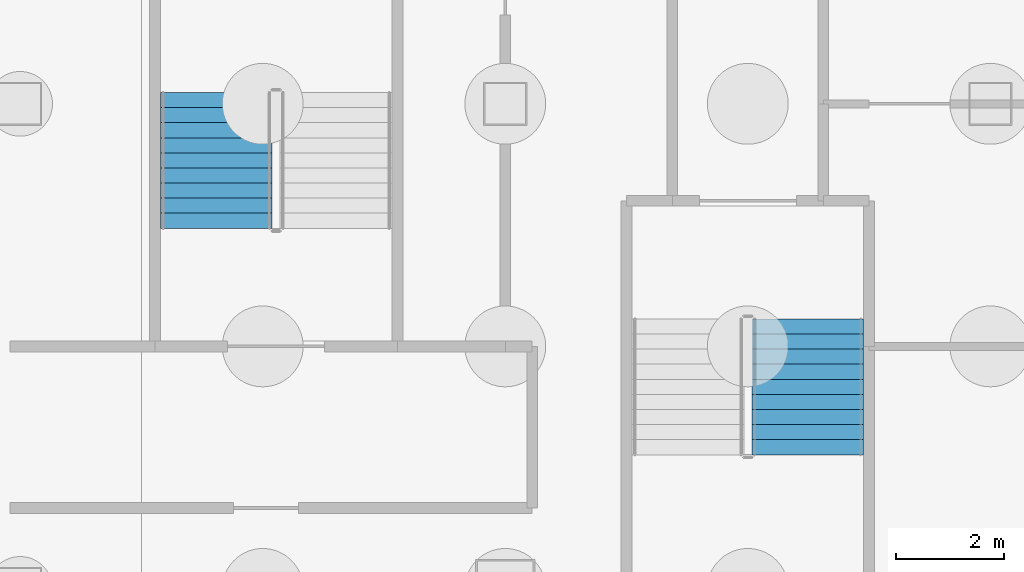
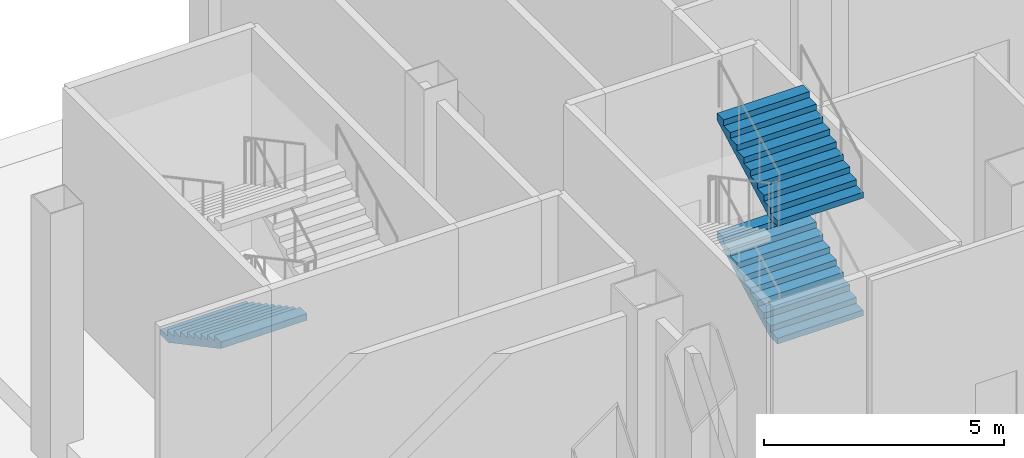
# One storey, part 14 of 25: 3 stair flights, 2 elements without a shape of their own.
"""IFC4 building model written with IfcOpenShell, lengths in metres."""

from ifc_helpers import new_model, si_unit, direction, frame, origin, place, context, subcontext, project, spatial, polygons, material, type_object, element, aggregate, save


model = new_model("IFC4")

# Units and contexts
model_context = context("Model", 3, precision=1e-05, world=origin(), true_north=direction((0.0, 1.0)))
body_context = subcontext(model_context, "Body", "Model", "MODEL_VIEW")
ifc_project = project(units=[si_unit("LENGTHUNIT", "METRE"), si_unit("AREAUNIT", "SQUARE_METRE"), si_unit("VOLUMEUNIT", "CUBIC_METRE"), si_unit("PLANEANGLEUNIT", "RADIAN"), si_unit("MASSUNIT", "GRAM", prefix="KILO")], contexts=[model_context])

# Site, building, storey
site_placement = place(None, origin())
site = spatial("IfcSite", under=ifc_project, at=site_placement, CompositionType="ELEMENT")
building_placement = place(site_placement, origin())
building = spatial("IfcBuilding", under=site, at=building_placement, Name="Caravel Reach Hotel and Residences", CompositionType="ELEMENT")
storey_placement = place(building_placement, frame((0.0, 0.0, -6.0)))
storey = spatial("IfcBuildingStorey", under=building, at=storey_placement, Name="B1", CompositionType="ELEMENT", Elevation=-6.0)

# Stair, stair flights
ifc_material_1 = material(Name="Concrete C40", Category="concrete")
stair_type = type_object("IfcStairType", Name="Core stair", PredefinedType="HALF_TURN_STAIR", material=ifc_material_1)
stair_1_placement = place(storey_placement, origin())
stair_1 = element("IfcStair", 1, at=stair_1_placement, inside=storey, type_object=stair_type, Name="B1 Exit stair P1", PredefinedType="HALF_TURN_STAIR")
ifc_material_2 = material(Name="Concrete C40", Category="concrete")
stair_flight_type = type_object("IfcStairFlightType", Name="Core stair flight", PredefinedType="STRAIGHT", material=ifc_material_2)
stair_flight_1_placement = place(storey_placement, frame((10.110107421875, 38.489990234375, 1.5), z_axis=(0.0, 0.0, 1.0), x_axis=(0.0, 1.0, 0.0)))
stair_flight_1 = element("IfcStairFlight", 2, at=stair_flight_1_placement, type_object=stair_flight_type, Name="ST-P1 flight 2", NumberOfRisers=10, NumberOfTreads=9, PredefinedType="STRAIGHT", RiserHeight=0.15, TreadLength=0.28, context=body_context, shape_type="Tessellation", body=[
    polygons([(0.3174408016601862, 1.0350341796875, 0.0), (0.3174408016601862, 0.6900227864583333, 0.0), (0.3174408016601862, 0.34501139322916663, 0.0), (0.3174408016601862, 0.0, 0.0), (0.3174408016601862, -0.34501139322916674, 0.0), (0.3174408016601862, -0.6900227864583333, 0.0), (0.3174408016601862, -1.0350341796875, 0.0), (2.5210000000000004, 1.0350341796875, 1.1799424276820432), (2.5210000000000004, 0.6900227864583333, 1.1799424276820432), (2.5210000000000004, 0.34501139322916663, 1.1799424276820432), (2.5210000000000004, 0.0, 1.1799424276820432), (2.5210000000000004, -0.34501139322916674, 1.1799424276820432), (2.5210000000000004, -0.6900227864583333, 1.1799424276820432), (2.5210000000000004, -1.0350341796875, 1.1799424276820432), (2.5210000000000004, 1.0350341796875, 1.3499999999999999), (2.5210000000000004, 0.6900227864583333, 1.3499999999999999), (2.5210000000000004, 0.34501139322916663, 1.3499999999999999), (2.5210000000000004, 0.0, 1.3499999999999999), (2.5210000000000004, -0.34501139322916674, 1.3499999999999999), (2.5210000000000004, -0.6900227864583333, 1.3499999999999999), (2.5210000000000004, -1.0350341796875, 1.3499999999999999), (2.24, 1.0350341796875, 1.3499999999999999), (2.24, 0.6900227864583333, 1.3499999999999999), (2.24, 0.34501139322916663, 1.3499999999999999), (2.24, 0.0, 1.3499999999999999), (2.24, -0.34501139322916674, 1.3499999999999999), (2.24, -0.6900227864583333, 1.3499999999999999), (2.24, -1.0350341796875, 1.3499999999999999), (2.24, 1.0350341796875, 1.2), (2.24, 0.6900227864583333, 1.2), (2.24, 0.34501139322916663, 1.2), (2.24, 0.0, 1.2), (2.24, -0.34501139322916674, 1.2), (2.24, -0.6900227864583333, 1.2), (2.24, -1.0350341796875, 1.2), (1.9600000000000002, 1.0350341796875, 1.2), (1.9600000000000002, 0.6900227864583333, 1.2), (1.9600000000000002, 0.34501139322916663, 1.2), (1.9600000000000002, 0.0, 1.2), (1.9600000000000002, -0.34501139322916674, 1.2), (1.9600000000000002, -0.6900227864583333, 1.2), (1.9600000000000002, -1.0350341796875, 1.2), (1.9600000000000002, 1.0350341796875, 1.05), (1.9600000000000002, 0.6900227864583333, 1.05), (1.9600000000000002, 0.34501139322916663, 1.05), (1.9600000000000002, 0.0, 1.05), (1.9600000000000002, -0.34501139322916674, 1.05), (1.9600000000000002, -0.6900227864583333, 1.05), (1.9600000000000002, -1.0350341796875, 1.05), (1.6800000000000002, 1.0350341796875, 1.05), (1.6800000000000002, 0.6900227864583333, 1.05), (1.6800000000000002, 0.34501139322916663, 1.05), (1.6800000000000002, 0.0, 1.05), (1.6800000000000002, -0.34501139322916674, 1.05), (1.6800000000000002, -0.6900227864583333, 1.05), (1.6800000000000002, -1.0350341796875, 1.05), (1.6800000000000002, 1.0350341796875, 0.8999999999999999), (1.6800000000000002, 0.6900227864583333, 0.8999999999999999), (1.6800000000000002, 0.34501139322916663, 0.8999999999999999), (1.6800000000000002, 0.0, 0.8999999999999999), (1.6800000000000002, -0.34501139322916674, 0.8999999999999999), (1.6800000000000002, -0.6900227864583333, 0.8999999999999999), (1.6800000000000002, -1.0350341796875, 0.8999999999999999), (1.4000000000000001, 1.0350341796875, 0.8999999999999999), (1.4000000000000001, 0.6900227864583333, 0.8999999999999999), (1.4000000000000001, 0.34501139322916663, 0.8999999999999999), (1.4000000000000001, 0.0, 0.8999999999999999), (1.4000000000000001, -0.34501139322916674, 0.8999999999999999), (1.4000000000000001, -0.6900227864583333, 0.8999999999999999), (1.4000000000000001, -1.0350341796875, 0.8999999999999999), (1.4000000000000001, 1.0350341796875, 0.75), (1.4000000000000001, 0.6900227864583333, 0.75), (1.4000000000000001, 0.34501139322916663, 0.75), (1.4000000000000001, 0.0, 0.75), (1.4000000000000001, -0.34501139322916674, 0.75), (1.4000000000000001, -0.6900227864583333, 0.75), (1.4000000000000001, -1.0350341796875, 0.75), (1.12, 1.0350341796875, 0.75), (1.12, 0.6900227864583333, 0.75), (1.12, 0.34501139322916663, 0.75), (1.12, 0.0, 0.75), (1.12, -0.34501139322916674, 0.75), (1.12, -0.6900227864583333, 0.75), (1.12, -1.0350341796875, 0.75), (1.12, 1.0350341796875, 0.6), (1.12, 0.6900227864583333, 0.6), (1.12, 0.34501139322916663, 0.6), (1.12, 0.0, 0.6), (1.12, -0.34501139322916674, 0.6), (1.12, -0.6900227864583333, 0.6), (1.12, -1.0350341796875, 0.6), (0.8400000000000001, 1.0350341796875, 0.6), (0.8400000000000001, 0.6900227864583333, 0.6), (0.8400000000000001, 0.34501139322916663, 0.6), (0.8400000000000001, 0.0, 0.6), (0.8400000000000001, -0.34501139322916674, 0.6), (0.8400000000000001, -0.6900227864583333, 0.6), (0.8400000000000001, -1.0350341796875, 0.6), (0.8400000000000001, 1.0350341796875, 0.44999999999999996), (0.8400000000000001, 0.6900227864583333, 0.44999999999999996), (0.8400000000000001, 0.34501139322916663, 0.44999999999999996), (0.8400000000000001, 0.0, 0.44999999999999996), (0.8400000000000001, -0.34501139322916674, 0.44999999999999996), (0.8400000000000001, -0.6900227864583333, 0.44999999999999996), (0.8400000000000001, -1.0350341796875, 0.44999999999999996), (0.56, 1.0350341796875, 0.44999999999999996), (0.56, 0.6900227864583333, 0.44999999999999996), (0.56, 0.34501139322916663, 0.44999999999999996), (0.56, 0.0, 0.44999999999999996), (0.56, -0.34501139322916674, 0.44999999999999996), (0.56, -0.6900227864583333, 0.44999999999999996), (0.56, -1.0350341796875, 0.44999999999999996), (0.56, 1.0350341796875, 0.3), (0.56, 0.6900227864583333, 0.3), (0.56, 0.34501139322916663, 0.3), (0.56, 0.0, 0.3), (0.56, -0.34501139322916674, 0.3), (0.56, -0.6900227864583333, 0.3), (0.56, -1.0350341796875, 0.3), (0.28, 1.0350341796875, 0.3), (0.28, 0.6900227864583333, 0.3), (0.28, 0.34501139322916663, 0.3), (0.28, 0.0, 0.3), (0.28, -0.34501139322916674, 0.3), (0.28, -0.6900227864583333, 0.3), (0.28, -1.0350341796875, 0.3), (0.28, 1.0350341796875, 0.15), (0.28, 0.6900227864583333, 0.15), (0.28, 0.34501139322916663, 0.15), (0.28, 0.0, 0.15), (0.28, -0.34501139322916674, 0.15), (0.28, -0.6900227864583333, 0.15), (0.28, -1.0350341796875, 0.15), (-0.001, 1.0350341796875, 0.15), (-0.001, 0.6900227864583333, 0.15), (-0.001, 0.34501139322916663, 0.15), (-0.001, 0.0, 0.15), (-0.001, -0.34501139322916674, 0.15), (-0.001, -0.6900227864583333, 0.15), (-0.001, -1.0350341796875, 0.15), (-0.001, 1.0350341796875, 0.0), (-0.001, 0.6900227864583333, 0.0), (-0.001, 0.34501139322916663, 0.0), (-0.001, 0.0, 0.0), (-0.001, -0.34501139322916674, 0.0), (-0.001, -0.6900227864583333, 0.0), (-0.001, -1.0350341796875, 0.0)], [[[141, 134, 127, 120, 113, 106, 99, 92, 85, 78, 71, 64, 57, 50, 43, 36, 29, 22, 15, 8, 1]], [[7, 14, 21, 28, 35, 42, 49, 56, 63, 70, 77, 84, 91, 98, 105, 112, 119, 126, 133, 140, 147]], [[1, 8, 9, 2]], [[2, 9, 10, 3]], [[3, 10, 11, 4]], [[4, 11, 12, 5]], [[5, 12, 13, 6]], [[6, 13, 14, 7]], [[8, 15, 16, 9]], [[9, 16, 17, 10]], [[10, 17, 18, 11]], [[11, 18, 19, 12]], [[12, 19, 20, 13]], [[13, 20, 21, 14]], [[15, 22, 23, 16]], [[16, 23, 24, 17]], [[17, 24, 25, 18]], [[18, 25, 26, 19]], [[19, 26, 27, 20]], [[20, 27, 28, 21]], [[22, 29, 30, 23]], [[23, 30, 31, 24]], [[24, 31, 32, 25]], [[25, 32, 33, 26]], [[26, 33, 34, 27]], [[27, 34, 35, 28]], [[29, 36, 37, 30]], [[30, 37, 38, 31]], [[31, 38, 39, 32]], [[32, 39, 40, 33]], [[33, 40, 41, 34]], [[34, 41, 42, 35]], [[36, 43, 44, 37]], [[37, 44, 45, 38]], [[38, 45, 46, 39]], [[39, 46, 47, 40]], [[40, 47, 48, 41]], [[41, 48, 49, 42]], [[43, 50, 51, 44]], [[44, 51, 52, 45]], [[45, 52, 53, 46]], [[46, 53, 54, 47]], [[47, 54, 55, 48]], [[48, 55, 56, 49]], [[50, 57, 58, 51]], [[51, 58, 59, 52]], [[52, 59, 60, 53]], [[53, 60, 61, 54]], [[54, 61, 62, 55]], [[55, 62, 63, 56]], [[57, 64, 65, 58]], [[58, 65, 66, 59]], [[59, 66, 67, 60]], [[60, 67, 68, 61]], [[61, 68, 69, 62]], [[62, 69, 70, 63]], [[64, 71, 72, 65]], [[65, 72, 73, 66]], [[66, 73, 74, 67]], [[67, 74, 75, 68]], [[68, 75, 76, 69]], [[69, 76, 77, 70]], [[71, 78, 79, 72]], [[72, 79, 80, 73]], [[73, 80, 81, 74]], [[74, 81, 82, 75]], [[75, 82, 83, 76]], [[76, 83, 84, 77]], [[78, 85, 86, 79]], [[79, 86, 87, 80]], [[80, 87, 88, 81]], [[81, 88, 89, 82]], [[82, 89, 90, 83]], [[83, 90, 91, 84]], [[85, 92, 93, 86]], [[86, 93, 94, 87]], [[87, 94, 95, 88]], [[88, 95, 96, 89]], [[89, 96, 97, 90]], [[90, 97, 98, 91]], [[92, 99, 100, 93]], [[93, 100, 101, 94]], [[94, 101, 102, 95]], [[95, 102, 103, 96]], [[96, 103, 104, 97]], [[97, 104, 105, 98]], [[99, 106, 107, 100]], [[100, 107, 108, 101]], [[101, 108, 109, 102]], [[102, 109, 110, 103]], [[103, 110, 111, 104]], [[104, 111, 112, 105]], [[106, 113, 114, 107]], [[107, 114, 115, 108]], [[108, 115, 116, 109]], [[109, 116, 117, 110]], [[110, 117, 118, 111]], [[111, 118, 119, 112]], [[113, 120, 121, 114]], [[114, 121, 122, 115]], [[115, 122, 123, 116]], [[116, 123, 124, 117]], [[117, 124, 125, 118]], [[118, 125, 126, 119]], [[120, 127, 128, 121]], [[121, 128, 129, 122]], [[122, 129, 130, 123]], [[123, 130, 131, 124]], [[124, 131, 132, 125]], [[125, 132, 133, 126]], [[127, 134, 135, 128]], [[128, 135, 136, 129]], [[129, 136, 137, 130]], [[130, 137, 138, 131]], [[131, 138, 139, 132]], [[132, 139, 140, 133]], [[134, 141, 142, 135]], [[135, 142, 143, 136]], [[136, 143, 144, 137]], [[137, 144, 145, 138]], [[138, 145, 146, 139]], [[139, 146, 147, 140]], [[141, 1, 2, 142]], [[142, 2, 3, 143]], [[143, 3, 4, 144]], [[144, 4, 5, 145]], [[145, 5, 6, 146]], [[146, 6, 7, 147]]], closed=True),
])
stair_flight_2_placement = place(storey_placement, frame((10.110107421875, 38.489990234375, 4.5), z_axis=(0.0, 0.0, 1.0), x_axis=(0.0, 1.0, 0.0)))
stair_flight_2 = element("IfcStairFlight", 3, at=stair_flight_2_placement, type_object=stair_flight_type, Name="ST-P1 flight 4", NumberOfRisers=10, NumberOfTreads=9, PredefinedType="STRAIGHT", RiserHeight=0.15, TreadLength=0.28, context=body_context, shape_type="Tessellation", body=[
    polygons([(0.3174408016601862, 1.0350341796875, 0.0), (0.3174408016601862, 0.6900227864583333, 0.0), (0.3174408016601862, 0.34501139322916663, 0.0), (0.3174408016601862, 0.0, 0.0), (0.3174408016601862, -0.34501139322916674, 0.0), (0.3174408016601862, -0.6900227864583333, 0.0), (0.3174408016601862, -1.0350341796875, 0.0), (2.5210000000000004, 1.0350341796875, 1.1799424276820432), (2.5210000000000004, 0.6900227864583333, 1.1799424276820432), (2.5210000000000004, 0.34501139322916663, 1.1799424276820432), (2.5210000000000004, 0.0, 1.1799424276820432), (2.5210000000000004, -0.34501139322916674, 1.1799424276820432), (2.5210000000000004, -0.6900227864583333, 1.1799424276820432), (2.5210000000000004, -1.0350341796875, 1.1799424276820432), (2.5210000000000004, 1.0350341796875, 1.3499999999999999), (2.5210000000000004, 0.6900227864583333, 1.3499999999999999), (2.5210000000000004, 0.34501139322916663, 1.3499999999999999), (2.5210000000000004, 0.0, 1.3499999999999999), (2.5210000000000004, -0.34501139322916674, 1.3499999999999999), (2.5210000000000004, -0.6900227864583333, 1.3499999999999999), (2.5210000000000004, -1.0350341796875, 1.3499999999999999), (2.24, 1.0350341796875, 1.3499999999999999), (2.24, 0.6900227864583333, 1.3499999999999999), (2.24, 0.34501139322916663, 1.3499999999999999), (2.24, 0.0, 1.3499999999999999), (2.24, -0.34501139322916674, 1.3499999999999999), (2.24, -0.6900227864583333, 1.3499999999999999), (2.24, -1.0350341796875, 1.3499999999999999), (2.24, 1.0350341796875, 1.2), (2.24, 0.6900227864583333, 1.2), (2.24, 0.34501139322916663, 1.2), (2.24, 0.0, 1.2), (2.24, -0.34501139322916674, 1.2), (2.24, -0.6900227864583333, 1.2), (2.24, -1.0350341796875, 1.2), (1.9600000000000002, 1.0350341796875, 1.2), (1.9600000000000002, 0.6900227864583333, 1.2), (1.9600000000000002, 0.34501139322916663, 1.2), (1.9600000000000002, 0.0, 1.2), (1.9600000000000002, -0.34501139322916674, 1.2), (1.9600000000000002, -0.6900227864583333, 1.2), (1.9600000000000002, -1.0350341796875, 1.2), (1.9600000000000002, 1.0350341796875, 1.05), (1.9600000000000002, 0.6900227864583333, 1.05), (1.9600000000000002, 0.34501139322916663, 1.05), (1.9600000000000002, 0.0, 1.05), (1.9600000000000002, -0.34501139322916674, 1.05), (1.9600000000000002, -0.6900227864583333, 1.05), (1.9600000000000002, -1.0350341796875, 1.05), (1.6800000000000002, 1.0350341796875, 1.05), (1.6800000000000002, 0.6900227864583333, 1.05), (1.6800000000000002, 0.34501139322916663, 1.05), (1.6800000000000002, 0.0, 1.05), (1.6800000000000002, -0.34501139322916674, 1.05), (1.6800000000000002, -0.6900227864583333, 1.05), (1.6800000000000002, -1.0350341796875, 1.05), (1.6800000000000002, 1.0350341796875, 0.8999999999999999), (1.6800000000000002, 0.6900227864583333, 0.8999999999999999), (1.6800000000000002, 0.34501139322916663, 0.8999999999999999), (1.6800000000000002, 0.0, 0.8999999999999999), (1.6800000000000002, -0.34501139322916674, 0.8999999999999999), (1.6800000000000002, -0.6900227864583333, 0.8999999999999999), (1.6800000000000002, -1.0350341796875, 0.8999999999999999), (1.4000000000000001, 1.0350341796875, 0.8999999999999999), (1.4000000000000001, 0.6900227864583333, 0.8999999999999999), (1.4000000000000001, 0.34501139322916663, 0.8999999999999999), (1.4000000000000001, 0.0, 0.8999999999999999), (1.4000000000000001, -0.34501139322916674, 0.8999999999999999), (1.4000000000000001, -0.6900227864583333, 0.8999999999999999), (1.4000000000000001, -1.0350341796875, 0.8999999999999999), (1.4000000000000001, 1.0350341796875, 0.75), (1.4000000000000001, 0.6900227864583333, 0.75), (1.4000000000000001, 0.34501139322916663, 0.75), (1.4000000000000001, 0.0, 0.75), (1.4000000000000001, -0.34501139322916674, 0.75), (1.4000000000000001, -0.6900227864583333, 0.75), (1.4000000000000001, -1.0350341796875, 0.75), (1.12, 1.0350341796875, 0.75), (1.12, 0.6900227864583333, 0.75), (1.12, 0.34501139322916663, 0.75), (1.12, 0.0, 0.75), (1.12, -0.34501139322916674, 0.75), (1.12, -0.6900227864583333, 0.75), (1.12, -1.0350341796875, 0.75), (1.12, 1.0350341796875, 0.6), (1.12, 0.6900227864583333, 0.6), (1.12, 0.34501139322916663, 0.6), (1.12, 0.0, 0.6), (1.12, -0.34501139322916674, 0.6), (1.12, -0.6900227864583333, 0.6), (1.12, -1.0350341796875, 0.6), (0.8400000000000001, 1.0350341796875, 0.6), (0.8400000000000001, 0.6900227864583333, 0.6), (0.8400000000000001, 0.34501139322916663, 0.6), (0.8400000000000001, 0.0, 0.6), (0.8400000000000001, -0.34501139322916674, 0.6), (0.8400000000000001, -0.6900227864583333, 0.6), (0.8400000000000001, -1.0350341796875, 0.6), (0.8400000000000001, 1.0350341796875, 0.44999999999999996), (0.8400000000000001, 0.6900227864583333, 0.44999999999999996), (0.8400000000000001, 0.34501139322916663, 0.44999999999999996), (0.8400000000000001, 0.0, 0.44999999999999996), (0.8400000000000001, -0.34501139322916674, 0.44999999999999996), (0.8400000000000001, -0.6900227864583333, 0.44999999999999996), (0.8400000000000001, -1.0350341796875, 0.44999999999999996), (0.56, 1.0350341796875, 0.44999999999999996), (0.56, 0.6900227864583333, 0.44999999999999996), (0.56, 0.34501139322916663, 0.44999999999999996), (0.56, 0.0, 0.44999999999999996), (0.56, -0.34501139322916674, 0.44999999999999996), (0.56, -0.6900227864583333, 0.44999999999999996), (0.56, -1.0350341796875, 0.44999999999999996), (0.56, 1.0350341796875, 0.3), (0.56, 0.6900227864583333, 0.3), (0.56, 0.34501139322916663, 0.3), (0.56, 0.0, 0.3), (0.56, -0.34501139322916674, 0.3), (0.56, -0.6900227864583333, 0.3), (0.56, -1.0350341796875, 0.3), (0.28, 1.0350341796875, 0.3), (0.28, 0.6900227864583333, 0.3), (0.28, 0.34501139322916663, 0.3), (0.28, 0.0, 0.3), (0.28, -0.34501139322916674, 0.3), (0.28, -0.6900227864583333, 0.3), (0.28, -1.0350341796875, 0.3), (0.28, 1.0350341796875, 0.15), (0.28, 0.6900227864583333, 0.15), (0.28, 0.34501139322916663, 0.15), (0.28, 0.0, 0.15), (0.28, -0.34501139322916674, 0.15), (0.28, -0.6900227864583333, 0.15), (0.28, -1.0350341796875, 0.15), (-0.001, 1.0350341796875, 0.15), (-0.001, 0.6900227864583333, 0.15), (-0.001, 0.34501139322916663, 0.15), (-0.001, 0.0, 0.15), (-0.001, -0.34501139322916674, 0.15), (-0.001, -0.6900227864583333, 0.15), (-0.001, -1.0350341796875, 0.15), (-0.001, 1.0350341796875, 0.0), (-0.001, 0.6900227864583333, 0.0), (-0.001, 0.34501139322916663, 0.0), (-0.001, 0.0, 0.0), (-0.001, -0.34501139322916674, 0.0), (-0.001, -0.6900227864583333, 0.0), (-0.001, -1.0350341796875, 0.0)], [[[141, 134, 127, 120, 113, 106, 99, 92, 85, 78, 71, 64, 57, 50, 43, 36, 29, 22, 15, 8, 1]], [[7, 14, 21, 28, 35, 42, 49, 56, 63, 70, 77, 84, 91, 98, 105, 112, 119, 126, 133, 140, 147]], [[1, 8, 9, 2]], [[2, 9, 10, 3]], [[3, 10, 11, 4]], [[4, 11, 12, 5]], [[5, 12, 13, 6]], [[6, 13, 14, 7]], [[8, 15, 16, 9]], [[9, 16, 17, 10]], [[10, 17, 18, 11]], [[11, 18, 19, 12]], [[12, 19, 20, 13]], [[13, 20, 21, 14]], [[15, 22, 23, 16]], [[16, 23, 24, 17]], [[17, 24, 25, 18]], [[18, 25, 26, 19]], [[19, 26, 27, 20]], [[20, 27, 28, 21]], [[22, 29, 30, 23]], [[23, 30, 31, 24]], [[24, 31, 32, 25]], [[25, 32, 33, 26]], [[26, 33, 34, 27]], [[27, 34, 35, 28]], [[29, 36, 37, 30]], [[30, 37, 38, 31]], [[31, 38, 39, 32]], [[32, 39, 40, 33]], [[33, 40, 41, 34]], [[34, 41, 42, 35]], [[36, 43, 44, 37]], [[37, 44, 45, 38]], [[38, 45, 46, 39]], [[39, 46, 47, 40]], [[40, 47, 48, 41]], [[41, 48, 49, 42]], [[43, 50, 51, 44]], [[44, 51, 52, 45]], [[45, 52, 53, 46]], [[46, 53, 54, 47]], [[47, 54, 55, 48]], [[48, 55, 56, 49]], [[50, 57, 58, 51]], [[51, 58, 59, 52]], [[52, 59, 60, 53]], [[53, 60, 61, 54]], [[54, 61, 62, 55]], [[55, 62, 63, 56]], [[57, 64, 65, 58]], [[58, 65, 66, 59]], [[59, 66, 67, 60]], [[60, 67, 68, 61]], [[61, 68, 69, 62]], [[62, 69, 70, 63]], [[64, 71, 72, 65]], [[65, 72, 73, 66]], [[66, 73, 74, 67]], [[67, 74, 75, 68]], [[68, 75, 76, 69]], [[69, 76, 77, 70]], [[71, 78, 79, 72]], [[72, 79, 80, 73]], [[73, 80, 81, 74]], [[74, 81, 82, 75]], [[75, 82, 83, 76]], [[76, 83, 84, 77]], [[78, 85, 86, 79]], [[79, 86, 87, 80]], [[80, 87, 88, 81]], [[81, 88, 89, 82]], [[82, 89, 90, 83]], [[83, 90, 91, 84]], [[85, 92, 93, 86]], [[86, 93, 94, 87]], [[87, 94, 95, 88]], [[88, 95, 96, 89]], [[89, 96, 97, 90]], [[90, 97, 98, 91]], [[92, 99, 100, 93]], [[93, 100, 101, 94]], [[94, 101, 102, 95]], [[95, 102, 103, 96]], [[96, 103, 104, 97]], [[97, 104, 105, 98]], [[99, 106, 107, 100]], [[100, 107, 108, 101]], [[101, 108, 109, 102]], [[102, 109, 110, 103]], [[103, 110, 111, 104]], [[104, 111, 112, 105]], [[106, 113, 114, 107]], [[107, 114, 115, 108]], [[108, 115, 116, 109]], [[109, 116, 117, 110]], [[110, 117, 118, 111]], [[111, 118, 119, 112]], [[113, 120, 121, 114]], [[114, 121, 122, 115]], [[115, 122, 123, 116]], [[116, 123, 124, 117]], [[117, 124, 125, 118]], [[118, 125, 126, 119]], [[120, 127, 128, 121]], [[121, 128, 129, 122]], [[122, 129, 130, 123]], [[123, 130, 131, 124]], [[124, 131, 132, 125]], [[125, 132, 133, 126]], [[127, 134, 135, 128]], [[128, 135, 136, 129]], [[129, 136, 137, 130]], [[130, 137, 138, 131]], [[131, 138, 139, 132]], [[132, 139, 140, 133]], [[134, 141, 142, 135]], [[135, 142, 143, 136]], [[136, 143, 144, 137]], [[137, 144, 145, 138]], [[138, 145, 146, 139]], [[139, 146, 147, 140]], [[141, 1, 2, 142]], [[142, 2, 3, 143]], [[143, 3, 4, 144]], [[144, 4, 5, 145]], [[145, 5, 6, 146]], [[146, 6, 7, 147]]], closed=True),
])
aggregate(stair_1, [stair_flight_1, stair_flight_2])

# Stair, stair flight
stair_2_placement = place(storey_placement, origin())
stair_2 = element("IfcStair", 4, at=stair_2_placement, inside=storey, type_object=stair_type, Name="B1 Exit stair P5", PredefinedType="HALF_TURN_STAIR")
stair_flight_3_placement = place(storey_placement, frame((-0.860107421875, 45.2099609375, 1.5), z_axis=(0.0, 0.0, 1.0), x_axis=(0.0, -1.0, 0.0)))
stair_flight_3 = element("IfcStairFlight", 5, at=stair_flight_3_placement, type_object=stair_flight_type, Name="ST-P5 flight 2", NumberOfRisers=10, NumberOfTreads=9, PredefinedType="STRAIGHT", RiserHeight=0.15, TreadLength=0.28, context=body_context, shape_type="Tessellation", body=[
    polygons([(0.3174408016601862, 1.0350341796875, 0.0), (0.3174408016601862, 0.6900227864583333, 0.0), (0.3174408016601862, 0.34501139322916663, 0.0), (0.3174408016601862, 0.0, 0.0), (0.3174408016601862, -0.34501139322916674, 0.0), (0.3174408016601862, -0.6900227864583333, 0.0), (0.3174408016601862, -1.0350341796875, 0.0), (2.5210000000000004, 1.0350341796875, 1.1799424276820432), (2.5210000000000004, 0.6900227864583333, 1.1799424276820432), (2.5210000000000004, 0.34501139322916663, 1.1799424276820432), (2.5210000000000004, 0.0, 1.1799424276820432), (2.5210000000000004, -0.34501139322916674, 1.1799424276820432), (2.5210000000000004, -0.6900227864583333, 1.1799424276820432), (2.5210000000000004, -1.0350341796875, 1.1799424276820432), (2.5210000000000004, 1.0350341796875, 1.3499999999999999), (2.5210000000000004, 0.6900227864583333, 1.3499999999999999), (2.5210000000000004, 0.34501139322916663, 1.3499999999999999), (2.5210000000000004, 0.0, 1.3499999999999999), (2.5210000000000004, -0.34501139322916674, 1.3499999999999999), (2.5210000000000004, -0.6900227864583333, 1.3499999999999999), (2.5210000000000004, -1.0350341796875, 1.3499999999999999), (2.24, 1.0350341796875, 1.3499999999999999), (2.24, 0.6900227864583333, 1.3499999999999999), (2.24, 0.34501139322916663, 1.3499999999999999), (2.24, 0.0, 1.3499999999999999), (2.24, -0.34501139322916674, 1.3499999999999999), (2.24, -0.6900227864583333, 1.3499999999999999), (2.24, -1.0350341796875, 1.3499999999999999), (2.24, 1.0350341796875, 1.2), (2.24, 0.6900227864583333, 1.2), (2.24, 0.34501139322916663, 1.2), (2.24, 0.0, 1.2), (2.24, -0.34501139322916674, 1.2), (2.24, -0.6900227864583333, 1.2), (2.24, -1.0350341796875, 1.2), (1.9600000000000002, 1.0350341796875, 1.2), (1.9600000000000002, 0.6900227864583333, 1.2), (1.9600000000000002, 0.34501139322916663, 1.2), (1.9600000000000002, 0.0, 1.2), (1.9600000000000002, -0.34501139322916674, 1.2), (1.9600000000000002, -0.6900227864583333, 1.2), (1.9600000000000002, -1.0350341796875, 1.2), (1.9600000000000002, 1.0350341796875, 1.05), (1.9600000000000002, 0.6900227864583333, 1.05), (1.9600000000000002, 0.34501139322916663, 1.05), (1.9600000000000002, 0.0, 1.05), (1.9600000000000002, -0.34501139322916674, 1.05), (1.9600000000000002, -0.6900227864583333, 1.05), (1.9600000000000002, -1.0350341796875, 1.05), (1.6800000000000002, 1.0350341796875, 1.05), (1.6800000000000002, 0.6900227864583333, 1.05), (1.6800000000000002, 0.34501139322916663, 1.05), (1.6800000000000002, 0.0, 1.05), (1.6800000000000002, -0.34501139322916674, 1.05), (1.6800000000000002, -0.6900227864583333, 1.05), (1.6800000000000002, -1.0350341796875, 1.05), (1.6800000000000002, 1.0350341796875, 0.8999999999999999), (1.6800000000000002, 0.6900227864583333, 0.8999999999999999), (1.6800000000000002, 0.34501139322916663, 0.8999999999999999), (1.6800000000000002, 0.0, 0.8999999999999999), (1.6800000000000002, -0.34501139322916674, 0.8999999999999999), (1.6800000000000002, -0.6900227864583333, 0.8999999999999999), (1.6800000000000002, -1.0350341796875, 0.8999999999999999), (1.4000000000000001, 1.0350341796875, 0.8999999999999999), (1.4000000000000001, 0.6900227864583333, 0.8999999999999999), (1.4000000000000001, 0.34501139322916663, 0.8999999999999999), (1.4000000000000001, 0.0, 0.8999999999999999), (1.4000000000000001, -0.34501139322916674, 0.8999999999999999), (1.4000000000000001, -0.6900227864583333, 0.8999999999999999), (1.4000000000000001, -1.0350341796875, 0.8999999999999999), (1.4000000000000001, 1.0350341796875, 0.75), (1.4000000000000001, 0.6900227864583333, 0.75), (1.4000000000000001, 0.34501139322916663, 0.75), (1.4000000000000001, 0.0, 0.75), (1.4000000000000001, -0.34501139322916674, 0.75), (1.4000000000000001, -0.6900227864583333, 0.75), (1.4000000000000001, -1.0350341796875, 0.75), (1.12, 1.0350341796875, 0.75), (1.12, 0.6900227864583333, 0.75), (1.12, 0.34501139322916663, 0.75), (1.12, 0.0, 0.75), (1.12, -0.34501139322916674, 0.75), (1.12, -0.6900227864583333, 0.75), (1.12, -1.0350341796875, 0.75), (1.12, 1.0350341796875, 0.6), (1.12, 0.6900227864583333, 0.6), (1.12, 0.34501139322916663, 0.6), (1.12, 0.0, 0.6), (1.12, -0.34501139322916674, 0.6), (1.12, -0.6900227864583333, 0.6), (1.12, -1.0350341796875, 0.6), (0.8400000000000001, 1.0350341796875, 0.6), (0.8400000000000001, 0.6900227864583333, 0.6), (0.8400000000000001, 0.34501139322916663, 0.6), (0.8400000000000001, 0.0, 0.6), (0.8400000000000001, -0.34501139322916674, 0.6), (0.8400000000000001, -0.6900227864583333, 0.6), (0.8400000000000001, -1.0350341796875, 0.6), (0.8400000000000001, 1.0350341796875, 0.44999999999999996), (0.8400000000000001, 0.6900227864583333, 0.44999999999999996), (0.8400000000000001, 0.34501139322916663, 0.44999999999999996), (0.8400000000000001, 0.0, 0.44999999999999996), (0.8400000000000001, -0.34501139322916674, 0.44999999999999996), (0.8400000000000001, -0.6900227864583333, 0.44999999999999996), (0.8400000000000001, -1.0350341796875, 0.44999999999999996), (0.56, 1.0350341796875, 0.44999999999999996), (0.56, 0.6900227864583333, 0.44999999999999996), (0.56, 0.34501139322916663, 0.44999999999999996), (0.56, 0.0, 0.44999999999999996), (0.56, -0.34501139322916674, 0.44999999999999996), (0.56, -0.6900227864583333, 0.44999999999999996), (0.56, -1.0350341796875, 0.44999999999999996), (0.56, 1.0350341796875, 0.3), (0.56, 0.6900227864583333, 0.3), (0.56, 0.34501139322916663, 0.3), (0.56, 0.0, 0.3), (0.56, -0.34501139322916674, 0.3), (0.56, -0.6900227864583333, 0.3), (0.56, -1.0350341796875, 0.3), (0.28, 1.0350341796875, 0.3), (0.28, 0.6900227864583333, 0.3), (0.28, 0.34501139322916663, 0.3), (0.28, 0.0, 0.3), (0.28, -0.34501139322916674, 0.3), (0.28, -0.6900227864583333, 0.3), (0.28, -1.0350341796875, 0.3), (0.28, 1.0350341796875, 0.15), (0.28, 0.6900227864583333, 0.15), (0.28, 0.34501139322916663, 0.15), (0.28, 0.0, 0.15), (0.28, -0.34501139322916674, 0.15), (0.28, -0.6900227864583333, 0.15), (0.28, -1.0350341796875, 0.15), (-0.001, 1.0350341796875, 0.15), (-0.001, 0.6900227864583333, 0.15), (-0.001, 0.34501139322916663, 0.15), (-0.001, 0.0, 0.15), (-0.001, -0.34501139322916674, 0.15), (-0.001, -0.6900227864583333, 0.15), (-0.001, -1.0350341796875, 0.15), (-0.001, 1.0350341796875, 0.0), (-0.001, 0.6900227864583333, 0.0), (-0.001, 0.34501139322916663, 0.0), (-0.001, 0.0, 0.0), (-0.001, -0.34501139322916674, 0.0), (-0.001, -0.6900227864583333, 0.0), (-0.001, -1.0350341796875, 0.0)], [[[141, 134, 127, 120, 113, 106, 99, 92, 85, 78, 71, 64, 57, 50, 43, 36, 29, 22, 15, 8, 1]], [[7, 14, 21, 28, 35, 42, 49, 56, 63, 70, 77, 84, 91, 98, 105, 112, 119, 126, 133, 140, 147]], [[1, 8, 9, 2]], [[2, 9, 10, 3]], [[3, 10, 11, 4]], [[4, 11, 12, 5]], [[5, 12, 13, 6]], [[6, 13, 14, 7]], [[8, 15, 16, 9]], [[9, 16, 17, 10]], [[10, 17, 18, 11]], [[11, 18, 19, 12]], [[12, 19, 20, 13]], [[13, 20, 21, 14]], [[15, 22, 23, 16]], [[16, 23, 24, 17]], [[17, 24, 25, 18]], [[18, 25, 26, 19]], [[19, 26, 27, 20]], [[20, 27, 28, 21]], [[22, 29, 30, 23]], [[23, 30, 31, 24]], [[24, 31, 32, 25]], [[25, 32, 33, 26]], [[26, 33, 34, 27]], [[27, 34, 35, 28]], [[29, 36, 37, 30]], [[30, 37, 38, 31]], [[31, 38, 39, 32]], [[32, 39, 40, 33]], [[33, 40, 41, 34]], [[34, 41, 42, 35]], [[36, 43, 44, 37]], [[37, 44, 45, 38]], [[38, 45, 46, 39]], [[39, 46, 47, 40]], [[40, 47, 48, 41]], [[41, 48, 49, 42]], [[43, 50, 51, 44]], [[44, 51, 52, 45]], [[45, 52, 53, 46]], [[46, 53, 54, 47]], [[47, 54, 55, 48]], [[48, 55, 56, 49]], [[50, 57, 58, 51]], [[51, 58, 59, 52]], [[52, 59, 60, 53]], [[53, 60, 61, 54]], [[54, 61, 62, 55]], [[55, 62, 63, 56]], [[57, 64, 65, 58]], [[58, 65, 66, 59]], [[59, 66, 67, 60]], [[60, 67, 68, 61]], [[61, 68, 69, 62]], [[62, 69, 70, 63]], [[64, 71, 72, 65]], [[65, 72, 73, 66]], [[66, 73, 74, 67]], [[67, 74, 75, 68]], [[68, 75, 76, 69]], [[69, 76, 77, 70]], [[71, 78, 79, 72]], [[72, 79, 80, 73]], [[73, 80, 81, 74]], [[74, 81, 82, 75]], [[75, 82, 83, 76]], [[76, 83, 84, 77]], [[78, 85, 86, 79]], [[79, 86, 87, 80]], [[80, 87, 88, 81]], [[81, 88, 89, 82]], [[82, 89, 90, 83]], [[83, 90, 91, 84]], [[85, 92, 93, 86]], [[86, 93, 94, 87]], [[87, 94, 95, 88]], [[88, 95, 96, 89]], [[89, 96, 97, 90]], [[90, 97, 98, 91]], [[92, 99, 100, 93]], [[93, 100, 101, 94]], [[94, 101, 102, 95]], [[95, 102, 103, 96]], [[96, 103, 104, 97]], [[97, 104, 105, 98]], [[99, 106, 107, 100]], [[100, 107, 108, 101]], [[101, 108, 109, 102]], [[102, 109, 110, 103]], [[103, 110, 111, 104]], [[104, 111, 112, 105]], [[106, 113, 114, 107]], [[107, 114, 115, 108]], [[108, 115, 116, 109]], [[109, 116, 117, 110]], [[110, 117, 118, 111]], [[111, 118, 119, 112]], [[113, 120, 121, 114]], [[114, 121, 122, 115]], [[115, 122, 123, 116]], [[116, 123, 124, 117]], [[117, 124, 125, 118]], [[118, 125, 126, 119]], [[120, 127, 128, 121]], [[121, 128, 129, 122]], [[122, 129, 130, 123]], [[123, 130, 131, 124]], [[124, 131, 132, 125]], [[125, 132, 133, 126]], [[127, 134, 135, 128]], [[128, 135, 136, 129]], [[129, 136, 137, 130]], [[130, 137, 138, 131]], [[131, 138, 139, 132]], [[132, 139, 140, 133]], [[134, 141, 142, 135]], [[135, 142, 143, 136]], [[136, 143, 144, 137]], [[137, 144, 145, 138]], [[138, 145, 146, 139]], [[139, 146, 147, 140]], [[141, 1, 2, 142]], [[142, 2, 3, 143]], [[143, 3, 4, 144]], [[144, 4, 5, 145]], [[145, 5, 6, 146]], [[146, 6, 7, 147]]], closed=True),
])
aggregate(stair_2, [stair_flight_3])

save(model, "model.ifc")
